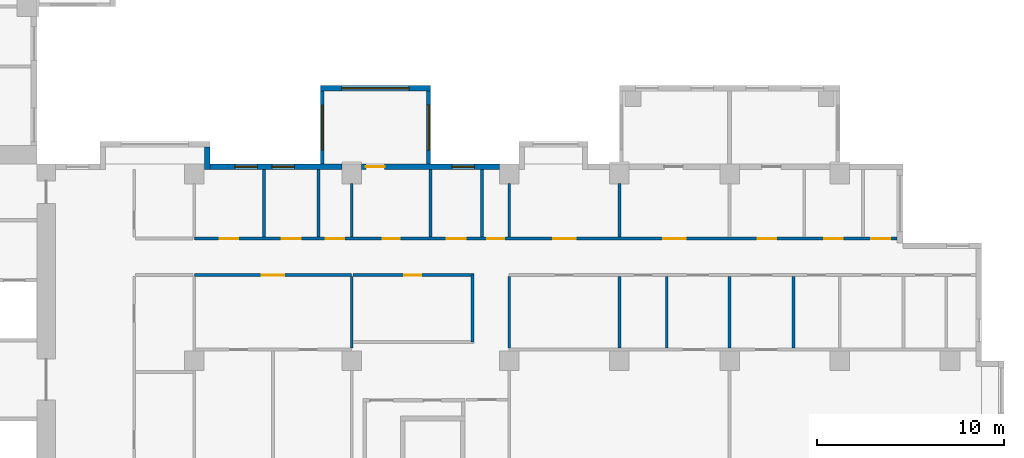
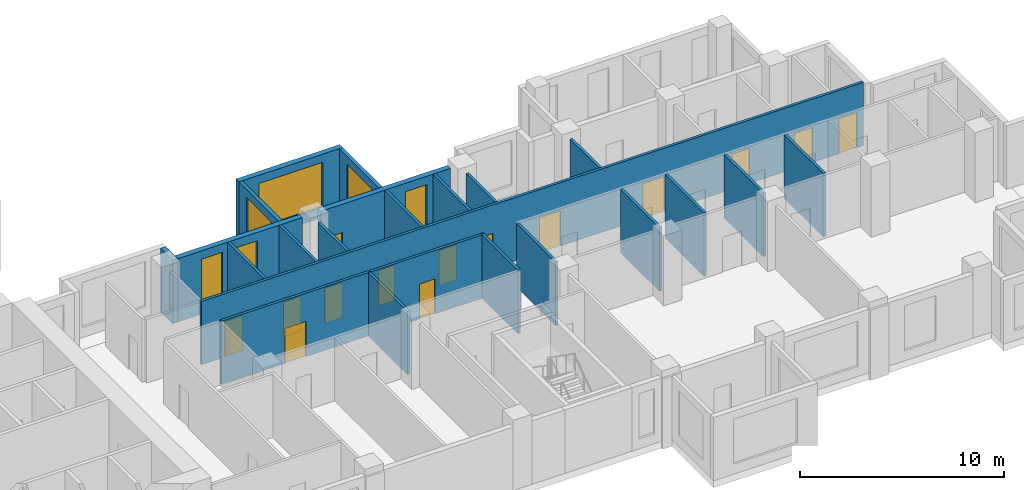
# One storey, part 5 of 15: 23 walls, 14 doors, 6 windows, 20 openings.
"""IFC4 building model written with IfcOpenShell, lengths in metres."""

from ifc_helpers import new_model, si_unit, direction, frame, frame_2d, origin, place, context, subcontext, project, spatial, rectangle, extrude, source, transform, mapped, material, layer, layer_set, type_object, element, fill, save


model = new_model("IFC4")

# Units and contexts
model_context = context("Model", 3, precision=1e-05, world=origin(), true_north=direction((0.0, 1.0)))
body_context = subcontext(model_context, "Body", "Model", "MODEL_VIEW")
ifc_project = project(units=[si_unit("LENGTHUNIT", "METRE"), si_unit("AREAUNIT", "SQUARE_METRE"), si_unit("VOLUMEUNIT", "CUBIC_METRE"), si_unit("PLANEANGLEUNIT", "RADIAN"), si_unit("MASSUNIT", "GRAM", prefix="KILO")], contexts=[model_context])

# Site, building, storey
site_placement = place(None, origin())
site = spatial("IfcSite", under=ifc_project, at=site_placement, CompositionType="ELEMENT")
building_placement = place(site_placement, origin())
building = spatial("IfcBuilding", under=site, at=building_placement, Name="Aurelian Terraces", CompositionType="ELEMENT")
storey_placement = place(building_placement, frame((0.0, 0.0, 120.3)))
storey = spatial("IfcBuildingStorey", under=building, at=storey_placement, Name="L26", CompositionType="ELEMENT", Elevation=120.3)

# Wall, openings, windows
ifc_material_1 = material(Name="Terracotta rainscreen cladding", Category="masonry")
ifc_layer_1 = layer(ifc_material_1, 0.3)
ifc_layer_set_1 = layer_set([ifc_layer_1], Name="EW-300")
wall_type_1 = type_object("IfcWallType", Name="EW-300", PredefinedType="STANDARD", material=ifc_layer_set_1)
wall_1_placement = place(storey_placement, frame((37.275, 20.85, 0.0), z_axis=(0.0, 0.0, 1.0), x_axis=(-1.0, 0.0, 0.0)))
wall_1 = element("IfcWall", 1, at=wall_1_placement, inside=storey, type_object=wall_type_1, Name="External wall L26 F07.20", PredefinedType="STANDARD", context=body_context, shape_type="SweptSolid", body=[
    extrude(rectangle(XDim=7.035, YDim=0.3, at=frame_2d((3.5175, 0.0))), origin(), (0.0, 0.0, 1.0), 3.8),
])
shared_shape_1 = source(origin(), body_context, "Body", "SweptSolid", [
    extrude(rectangle(XDim=1.2, YDim=2.7, at=frame_2d((0.6, 1.35))), frame((0.0, 0.16, 0.0), z_axis=(0.0, -1.0, 0.0), x_axis=(1.0, 0.0, 0.0)), (0.0, 0.0, 1.0), 0.32),
])
opening_1_placement = place(wall_1_placement, frame((2.541, 0.0, 0.6)))
opening_1 = element("IfcOpeningElement", 2, at=opening_1_placement, cuts=wall_1, Name="Opening W1227", PredefinedType="OPENING", context=body_context, shape_type="MappedRepresentation", body=[
    mapped(shared_shape_1, transform((0.0, 0.0, 0.0), scale=1.0)),
])
opening_2_placement = place(wall_1_placement, frame((4.516, 0.0, 0.6)))
opening_2 = element("IfcOpeningElement", 3, at=opening_2_placement, cuts=wall_1, Name="Opening W1227", PredefinedType="OPENING", context=body_context, shape_type="MappedRepresentation", body=[
    mapped(shared_shape_1, transform((0.0, 0.0, 0.0), scale=1.0)),
])
ifc_material_2 = material(Name="Clear glazing", Category="glass")
window_type_1 = type_object("IfcWindowType", Name="W-1200x2700", PartitioningType="SINGLE_PANEL", PredefinedType="WINDOW", material=ifc_material_2)
shared_shape_2 = source(origin(), body_context, "Body", "SweptSolid", [
    extrude(rectangle(XDim=1.2, YDim=2.7, at=frame_2d((0.6, 1.35))), frame((0.0, 0.03, 0.0), z_axis=(0.0, -1.0, 0.0), x_axis=(1.0, 0.0, 0.0)), (0.0, 0.0, 1.0), 0.06),
])
window_1_placement = place(opening_1_placement, origin())
window_1 = element("IfcWindow", 4, at=window_1_placement, inside=storey, type_object=window_type_1, Name="Window L26 L26-F07-20-2.1", OverallHeight=2.7, OverallWidth=1.2, PartitioningType="SINGLE_PANEL", PredefinedType="WINDOW", context=body_context, shape_type="MappedRepresentation", body=[
    mapped(shared_shape_2, transform((0.0, 0.0, 0.0), scale=1.0)),
])
fill(opening_1, window_1)
window_2_placement = place(opening_2_placement, origin())
window_2 = element("IfcWindow", 5, at=window_2_placement, inside=storey, type_object=window_type_1, Name="Window L26 L26-F07-20-2.2", OverallHeight=2.7, OverallWidth=1.2, PartitioningType="SINGLE_PANEL", PredefinedType="WINDOW", context=body_context, shape_type="MappedRepresentation", body=[
    mapped(shared_shape_2, transform((0.0, 0.0, 0.0), scale=1.0)),
])
fill(opening_2, window_2)

# Wall
shared_shape_3 = source(origin(), body_context, "Body", "SweptSolid", [
    extrude(rectangle(XDim=1.2, YDim=0.3, at=frame_2d((0.6, 0.0))), origin(), (0.0, 0.0, 1.0), 3.8),
])
wall_2_placement = place(storey_placement, frame((30.09, 20.7, 0.0), z_axis=(0.0, 0.0, 1.0), x_axis=(0.0, 1.0, 0.0)))
element("IfcWall", 6, at=wall_2_placement, inside=storey, type_object=wall_type_1, Name="Bay return L26 F07.21.1", PredefinedType="STANDARD", context=body_context, shape_type="MappedRepresentation", body=[
    mapped(shared_shape_3, transform((0.0, 0.0, 0.0), scale=1.0)),
])

# Wall, opening, window
ifc_material_3 = material(Name="Concrete fc' 40 MPa", Category="concrete")
ifc_layer_2 = layer(ifc_material_3, 0.2)
ifc_layer_set_2 = layer_set([ifc_layer_2], Name="BOX BEARING WALL 200")
wall_type_2 = type_object("IfcWallType", Name="BOX BEARING WALL 200", PredefinedType="SOLIDWALL", material=ifc_layer_set_2)
shared_shape_4 = source(origin(), body_context, "Body", "SweptSolid", [
    extrude(rectangle(XDim=3.9, YDim=0.2, at=frame_2d((1.95, 0.0))), origin(), (0.0, 0.0, 1.0), 3.79),
])
wall_3_placement = place(storey_placement, frame((41.9, 21.0, 0.0), z_axis=(0.0, 0.0, 1.0), x_axis=(0.0, 1.0, 0.0)))
wall_3 = element("IfcWall", 7, at=wall_3_placement, inside=storey, type_object=wall_type_2, Name="Box return L26 J37.1", PredefinedType="SOLIDWALL", context=body_context, shape_type="MappedRepresentation", body=[
    mapped(shared_shape_4, transform((0.0, 0.0, 0.0), scale=1.0)),
])
shared_shape_5 = source(origin(), body_context, "Body", "SweptSolid", [
    extrude(rectangle(XDim=2.4, YDim=2.7, at=frame_2d((1.2, 1.35))), frame((0.0, 0.11, 0.0), z_axis=(0.0, -1.0, 0.0), x_axis=(1.0, 0.0, 0.0)), (0.0, 0.0, 1.0), 0.22),
])
opening_3_placement = place(wall_3_placement, frame((0.75, 0.0, 0.6)))
opening_3 = element("IfcOpeningElement", 8, at=opening_3_placement, cuts=wall_3, Name="Opening W2427", PredefinedType="OPENING", context=body_context, shape_type="MappedRepresentation", body=[
    mapped(shared_shape_5, transform((0.0, 0.0, 0.0), scale=1.0)),
])
window_type_2 = type_object("IfcWindowType", Name="W-2400x2700", PartitioningType="SINGLE_PANEL", PredefinedType="WINDOW", material=ifc_material_2)
shared_shape_6 = source(origin(), body_context, "Body", "SweptSolid", [
    extrude(rectangle(XDim=2.4, YDim=2.7, at=frame_2d((1.2, 1.35))), frame((0.0, 0.03, 0.0), z_axis=(0.0, -1.0, 0.0), x_axis=(1.0, 0.0, 0.0)), (0.0, 0.0, 1.0), 0.06),
])
window_3_placement = place(opening_3_placement, origin())
window_3 = element("IfcWindow", 9, at=window_3_placement, inside=storey, type_object=window_type_2, Name="Window L26 J37-S1", OverallHeight=2.7, OverallWidth=2.4, PartitioningType="SINGLE_PANEL", PredefinedType="WINDOW", context=body_context, shape_type="MappedRepresentation", body=[
    mapped(shared_shape_6, transform((0.0, 0.0, 0.0), scale=1.0)),
])
fill(opening_3, window_3)

wall_4_placement = place(storey_placement, frame((36.22, 21.0, 0.0), z_axis=(0.0, 0.0, 1.0), x_axis=(0.0, 1.0, 0.0)))
wall_4 = element("IfcWall", 10, at=wall_4_placement, inside=storey, type_object=wall_type_2, Name="Box return L26 J37.2", PredefinedType="SOLIDWALL", context=body_context, shape_type="MappedRepresentation", body=[
    mapped(shared_shape_4, transform((0.0, 0.0, 0.0), scale=1.0)),
])
opening_4_placement = place(wall_4_placement, frame((0.75, 0.0, 0.6)))
opening_4 = element("IfcOpeningElement", 11, at=opening_4_placement, cuts=wall_4, Name="Opening W2427", PredefinedType="OPENING", context=body_context, shape_type="MappedRepresentation", body=[
    mapped(shared_shape_5, transform((0.0, 0.0, 0.0), scale=1.0)),
])
window_4_placement = place(opening_4_placement, origin())
window_4 = element("IfcWindow", 12, at=window_4_placement, inside=storey, type_object=window_type_2, Name="Window L26 J37-S2", OverallHeight=2.7, OverallWidth=2.4, PartitioningType="SINGLE_PANEL", PredefinedType="WINDOW", context=body_context, shape_type="MappedRepresentation", body=[
    mapped(shared_shape_6, transform((0.0, 0.0, 0.0), scale=1.0)),
])
fill(opening_4, window_4)

ifc_layer_3 = layer(ifc_material_3, 0.3)
ifc_layer_set_3 = layer_set([ifc_layer_3], Name="BOX BEARING WALL 300")
wall_type_3 = type_object("IfcWallType", Name="BOX BEARING WALL 300", PredefinedType="SOLIDWALL", material=ifc_layer_set_3)
shared_shape_7 = source(origin(), body_context, "Body", "SweptSolid", [
    extrude(rectangle(XDim=5.88, YDim=0.3, at=frame_2d((2.94, 0.0))), origin(), (0.0, 0.0, 1.0), 3.79),
])
wall_5_placement = place(storey_placement, frame((42.0, 25.05, 0.0), z_axis=(0.0, 0.0, 1.0), x_axis=(-1.0, 0.0, 0.0)))
wall_5 = element("IfcWall", 13, at=wall_5_placement, inside=storey, type_object=wall_type_3, Name="Box wall L26 J37", PredefinedType="SOLIDWALL", context=body_context, shape_type="MappedRepresentation", body=[
    mapped(shared_shape_7, transform((0.0, 0.0, 0.0), scale=1.0)),
])
shared_shape_8 = source(origin(), body_context, "Body", "SweptSolid", [
    extrude(rectangle(XDim=3.6, YDim=2.7, at=frame_2d((1.8, 1.35))), frame((0.0, 0.16, 0.0), z_axis=(0.0, -1.0, 0.0), x_axis=(1.0, 0.0, 0.0)), (0.0, 0.0, 1.0), 0.32),
])
opening_5_placement = place(wall_5_placement, frame((1.14, 0.0, 0.6)))
opening_5 = element("IfcOpeningElement", 14, at=opening_5_placement, cuts=wall_5, Name="Opening W3627", PredefinedType="OPENING", context=body_context, shape_type="MappedRepresentation", body=[
    mapped(shared_shape_8, transform((0.0, 0.0, 0.0), scale=1.0)),
])
window_type_3 = type_object("IfcWindowType", Name="W-3600x2700", PartitioningType="SINGLE_PANEL", PredefinedType="WINDOW", material=ifc_material_2)
shared_shape_9 = source(origin(), body_context, "Body", "SweptSolid", [
    extrude(rectangle(XDim=3.6, YDim=2.7, at=frame_2d((1.8, 1.35))), frame((0.0, 0.03, 0.0), z_axis=(0.0, -1.0, 0.0), x_axis=(1.0, 0.0, 0.0)), (0.0, 0.0, 1.0), 0.06),
])
window_5_placement = place(opening_5_placement, origin())
window_5 = element("IfcWindow", 15, at=window_5_placement, inside=storey, type_object=window_type_3, Name="Window L26 J37-F1", OverallHeight=2.7, OverallWidth=3.6, PartitioningType="SINGLE_PANEL", PredefinedType="WINDOW", context=body_context, shape_type="MappedRepresentation", body=[
    mapped(shared_shape_9, transform((0.0, 0.0, 0.0), scale=1.0)),
])
fill(opening_5, window_5)

# Wall, openings, window, door
shared_shape_10 = source(origin(), body_context, "Body", "SweptSolid", [
    extrude(rectangle(XDim=7.35, YDim=0.3, at=frame_2d((3.675, 0.0))), origin(), (0.0, 0.0, 1.0), 3.8),
])
wall_6_placement = place(storey_placement, frame((45.675, 20.85, 0.0), z_axis=(0.0, 0.0, 1.0), x_axis=(-1.0, 0.0, 0.0)))
wall_6 = element("IfcWall", 16, at=wall_6_placement, inside=storey, type_object=wall_type_1, Name="External wall L26 F07.20", PredefinedType="STANDARD", context=body_context, shape_type="MappedRepresentation", body=[
    mapped(shared_shape_10, transform((0.0, 0.0, 0.0), scale=1.0)),
])
opening_6_placement = place(wall_6_placement, frame((1.3385, 0.0, 0.6)))
opening_6 = element("IfcOpeningElement", 17, at=opening_6_placement, cuts=wall_6, Name="Opening W1227", PredefinedType="OPENING", context=body_context, shape_type="MappedRepresentation", body=[
    mapped(shared_shape_1, transform((0.0, 0.0, 0.0), scale=1.0)),
])
shared_shape_11 = source(origin(), body_context, "Body", "SweptSolid", [
    extrude(rectangle(XDim=1.0, YDim=2.1, at=frame_2d((0.5, 1.05))), frame((0.0, 0.16, 0.0), z_axis=(0.0, -1.0, 0.0), x_axis=(1.0, 0.0, 0.0)), (0.0, 0.0, 1.0), 0.32),
])
opening_7_placement = place(wall_6_placement, frame((6.115, 0.0, 0.0)))
opening_7 = element("IfcOpeningElement", 18, at=opening_7_placement, cuts=wall_6, Name="Opening 826002", PredefinedType="OPENING", context=body_context, shape_type="MappedRepresentation", body=[
    mapped(shared_shape_11, transform((0.0, 0.0, 0.0), scale=1.0)),
])
window_6_placement = place(opening_6_placement, origin())
window_6 = element("IfcWindow", 19, at=window_6_placement, inside=storey, type_object=window_type_1, Name="Window L26 L26-F07-20-0", OverallHeight=2.7, OverallWidth=1.2, PartitioningType="SINGLE_PANEL", PredefinedType="WINDOW", context=body_context, shape_type="MappedRepresentation", body=[
    mapped(shared_shape_2, transform((0.0, 0.0, 0.0), scale=1.0)),
])
fill(opening_6, window_6)
ifc_material_4 = material(Name="Timber door leaf", Category="wood")
door_type_1 = type_object("IfcDoorType", Name="Room door 1000x2100 left", OperationType="SINGLE_SWING_LEFT", PredefinedType="DOOR", material=ifc_material_4)
shared_shape_12 = source(origin(), body_context, "Body", "SweptSolid", [
    extrude(rectangle(XDim=1.0, YDim=2.1, at=frame_2d((0.5, 1.05))), frame((0.0, 0.025, 0.0), z_axis=(0.0, -1.0, 0.0), x_axis=(1.0, 0.0, 0.0)), (0.0, 0.0, 1.0), 0.05),
])
door_1_placement = place(opening_7_placement, origin())
door_1 = element("IfcDoor", 20, at=door_1_placement, inside=storey, type_object=door_type_1, Name="Door 826002", OperationType="SINGLE_SWING_LEFT", OverallHeight=2.1, OverallWidth=1.0, PredefinedType="DOOR", context=body_context, shape_type="MappedRepresentation", body=[
    mapped(shared_shape_12, transform((0.0, 0.0, 0.0), scale=1.0)),
])
fill(opening_7, door_1)

# Wall, opening, door
ifc_material_5 = material(Name="Gypsum board on steel studs", Category="steel")
ifc_layer_4 = layer(ifc_material_5, 0.15)
ifc_layer_set_4 = layer_set([ifc_layer_4], Name="Fire partition 150")
wall_type_4 = type_object("IfcWallType", Name="Fire partition 150", PredefinedType="PARTITIONING", material=ifc_layer_set_4)
shared_shape_13 = source(origin(), body_context, "Body", "SweptSolid", [
    extrude(rectangle(XDim=6.45, YDim=0.15, at=frame_2d((3.225, 0.0))), origin(), (0.0, 0.0, 1.0), 3.8),
])
wall_7_placement = place(storey_placement, frame((44.325, 15.075, 0.0), z_axis=(0.0, 0.0, 1.0), x_axis=(-1.0, 0.0, 0.0)))
wall_7 = element("IfcWall", 21, at=wall_7_placement, inside=storey, type_object=wall_type_4, Name="Corridor wall", PredefinedType="PARTITIONING", context=body_context, shape_type="MappedRepresentation", body=[
    mapped(shared_shape_13, transform((0.0, 0.0, 0.0), scale=1.0)),
])
shared_shape_14 = source(origin(), body_context, "Body", "SweptSolid", [
    extrude(rectangle(XDim=0.9, YDim=2.1, at=frame_2d((0.45, 1.05))), frame((0.0, 0.085, 0.0), z_axis=(0.0, -1.0, 0.0), x_axis=(1.0, 0.0, 0.0)), (0.0, 0.0, 1.0), 0.17),
])
opening_8_placement = place(wall_7_placement, frame((2.8125, 0.0, 0.0)))
opening_8 = element("IfcOpeningElement", 22, at=opening_8_placement, cuts=wall_7, Name="Opening 726005", PredefinedType="OPENING", context=body_context, shape_type="MappedRepresentation", body=[
    mapped(shared_shape_14, transform((0.0, 0.0, 0.0), scale=1.0)),
])
door_type_2 = type_object("IfcDoorType", Name="Room door 900x2100 right", OperationType="SINGLE_SWING_RIGHT", PredefinedType="DOOR", material=ifc_material_4)
shared_shape_15 = source(origin(), body_context, "Body", "SweptSolid", [
    extrude(rectangle(XDim=0.9, YDim=2.1, at=frame_2d((0.45, 1.05))), frame((0.0, 0.025, 0.0), z_axis=(0.0, -1.0, 0.0), x_axis=(1.0, 0.0, 0.0)), (0.0, 0.0, 1.0), 0.05),
])
door_2_placement = place(opening_8_placement, origin())
door_2 = element("IfcDoor", 23, at=door_2_placement, inside=storey, type_object=door_type_2, Name="Door 726005", OperationType="SINGLE_SWING_RIGHT", OverallHeight=2.1, OverallWidth=0.9, PredefinedType="DOOR", context=body_context, shape_type="MappedRepresentation", body=[
    mapped(shared_shape_15, transform((0.0, 0.0, 0.0), scale=1.0)),
])
fill(opening_8, door_2)

# Walls
ifc_layer_5 = layer(ifc_material_5, 0.15)
ifc_layer_set_5 = layer_set([ifc_layer_5], Name="Partition 150")
wall_type_5 = type_object("IfcWallType", Name="Partition 150", PredefinedType="PARTITIONING", material=ifc_layer_set_5)
shared_shape_16 = source(origin(), body_context, "Body", "SweptSolid", [
    extrude(rectangle(XDim=3.6, YDim=0.15, at=frame_2d((1.8, 0.0))), origin(), (0.0, 0.0, 1.0), 3.8),
])
for number, where, z_axis, x_axis, name in (
    (24, (33.1133, 20.7, 0.0), (0.0, 0.0, 1.0), (0.0, -1.0, 0.0), "Partition"),
    (25, (36.024, 20.7, 0.0), (0.0, 0.0, 1.0), (0.0, -1.0, 0.0), "Partition"),
    (26, (44.748, 20.7, 0.0), (0.0, 0.0, 1.0), (0.0, -1.0, 0.0), "Partition"),
    (27, (42.0, 17.1, 0.0), (0.0, 0.0, 1.0), (0.0, 1.0, 0.0), "Partition"),
):
    element("IfcWall", number, at=place(storey_placement, frame(where, z_axis=z_axis, x_axis=x_axis)), inside=storey, type_object=wall_type_5, Name=name, PredefinedType="PARTITIONING", context=body_context, shape_type="MappedRepresentation", body=[
        mapped(shared_shape_16, transform((0.0, 0.0, 0.0), scale=1.0)),
    ])

# Wall, opening, door
shared_shape_17 = source(origin(), body_context, "Body", "SweptSolid", [
    extrude(rectangle(XDim=8.4, YDim=0.15, at=frame_2d((4.2, 0.0))), origin(), (0.0, 0.0, 1.0), 3.8),
])
wall_8_placement = place(storey_placement, frame((37.8, 15.075, 0.0), z_axis=(0.0, 0.0, 1.0), x_axis=(-1.0, 0.0, 0.0)))
wall_8 = element("IfcWall", 28, at=wall_8_placement, inside=storey, type_object=wall_type_4, Name="Corridor wall", PredefinedType="PARTITIONING", context=body_context, shape_type="MappedRepresentation", body=[
    mapped(shared_shape_17, transform((0.0, 0.0, 0.0), scale=1.0)),
])
shared_shape_18 = source(origin(), body_context, "Body", "SweptSolid", [
    extrude(rectangle(XDim=1.2, YDim=2.1, at=frame_2d((0.6, 1.05))), frame((0.0, 0.085, 0.0), z_axis=(0.0, -1.0, 0.0), x_axis=(1.0, 0.0, 0.0)), (0.0, 0.0, 1.0), 0.17),
])
opening_9_placement = place(wall_8_placement, frame((3.6, 0.0, 0.0)))
opening_9 = element("IfcOpeningElement", 29, at=opening_9_placement, cuts=wall_8, Name="Opening 726007", PredefinedType="OPENING", context=body_context, shape_type="MappedRepresentation", body=[
    mapped(shared_shape_18, transform((0.0, 0.0, 0.0), scale=1.0)),
])
door_type_3 = type_object("IfcDoorType", Name="Room door 1200x2100 left", OperationType="SINGLE_SWING_LEFT", PredefinedType="DOOR", material=ifc_material_4)
shared_shape_19 = source(origin(), body_context, "Body", "SweptSolid", [
    extrude(rectangle(XDim=1.2, YDim=2.1, at=frame_2d((0.6, 1.05))), frame((0.0, 0.025, 0.0), z_axis=(0.0, -1.0, 0.0), x_axis=(1.0, 0.0, 0.0)), (0.0, 0.0, 1.0), 0.05),
])
door_3_placement = place(opening_9_placement, origin())
door_3 = element("IfcDoor", 30, at=door_3_placement, inside=storey, type_object=door_type_3, Name="Door 726007", OperationType="SINGLE_SWING_LEFT", OverallHeight=2.1, OverallWidth=1.2, PredefinedType="DOOR", context=body_context, shape_type="MappedRepresentation", body=[
    mapped(shared_shape_19, transform((0.0, 0.0, 0.0), scale=1.0)),
])
fill(opening_9, door_3)

# Wall
shared_shape_20 = source(origin(), body_context, "Body", "SweptSolid", [
    extrude(rectangle(XDim=3.575, YDim=0.15, at=frame_2d((1.7875, 0.0))), origin(), (0.0, 0.0, 1.0), 3.8),
])
wall_9_placement = place(storey_placement, frame((44.25, 11.5, 0.0), z_axis=(0.0, 0.0, 1.0), x_axis=(0.0, 1.0, 0.0)))
element("IfcWall", 31, at=wall_9_placement, inside=storey, type_object=wall_type_5, Name="Partition", PredefinedType="PARTITIONING", context=body_context, shape_type="MappedRepresentation", body=[
    mapped(shared_shape_20, transform((0.0, 0.0, 0.0), scale=1.0)),
])

# Wall, openings, doors
shared_shape_21 = source(origin(), body_context, "Body", "SweptSolid", [
    extrude(rectangle(XDim=37.5, YDim=0.15, at=frame_2d((18.75, 0.0))), origin(), (0.0, 0.0, 1.0), 3.8),
])
wall_10_placement = place(storey_placement, frame((29.4, 17.025, 0.0), z_axis=(0.0, 0.0, 1.0), x_axis=(1.0, 0.0, 0.0)))
wall_10 = element("IfcWall", 32, at=wall_10_placement, inside=storey, type_object=wall_type_4, Name="Corridor wall", PredefinedType="PARTITIONING", context=body_context, shape_type="MappedRepresentation", body=[
    mapped(shared_shape_21, transform((0.0, 0.0, 0.0), scale=1.0)),
])
shared_shape_22 = source(origin(), body_context, "Body", "SweptSolid", [
    extrude(rectangle(XDim=1.0, YDim=2.1, at=frame_2d((0.5, 1.05))), frame((0.0, 0.085, 0.0), z_axis=(0.0, -1.0, 0.0), x_axis=(1.0, 0.0, 0.0)), (0.0, 0.0, 1.0), 0.17),
])
opening_10_placement = place(wall_10_placement, frame((1.3567, 0.0, 0.0)))
opening_10 = element("IfcOpeningElement", 33, at=opening_10_placement, cuts=wall_10, Name="Opening 726020", PredefinedType="OPENING", context=body_context, shape_type="MappedRepresentation", body=[
    mapped(shared_shape_22, transform((0.0, 0.0, 0.0), scale=1.0)),
])
opening_11_placement = place(wall_10_placement, frame((4.6686, 0.0, 0.0)))
opening_11 = element("IfcOpeningElement", 34, at=opening_11_placement, cuts=wall_10, Name="Opening 726021", PredefinedType="OPENING", context=body_context, shape_type="MappedRepresentation", body=[
    mapped(shared_shape_22, transform((0.0, 0.0, 0.0), scale=1.0)),
])
opening_12_placement = place(wall_10_placement, frame((7.012, 0.0, 0.0)))
opening_12 = element("IfcOpeningElement", 35, at=opening_12_placement, cuts=wall_10, Name="Opening 726022", PredefinedType="OPENING", context=body_context, shape_type="MappedRepresentation", body=[
    mapped(shared_shape_22, transform((0.0, 0.0, 0.0), scale=1.0)),
])
opening_13_placement = place(wall_10_placement, frame((10.05, 0.0, 0.0)))
opening_13 = element("IfcOpeningElement", 36, at=opening_13_placement, cuts=wall_10, Name="Opening 726023", PredefinedType="OPENING", context=body_context, shape_type="MappedRepresentation", body=[
    mapped(shared_shape_14, transform((0.0, 0.0, 0.0), scale=1.0)),
])
opening_14_placement = place(wall_10_placement, frame((13.474, 0.0, 0.0)))
opening_14 = element("IfcOpeningElement", 37, at=opening_14_placement, cuts=wall_10, Name="Opening 726024", PredefinedType="OPENING", context=body_context, shape_type="MappedRepresentation", body=[
    mapped(shared_shape_22, transform((0.0, 0.0, 0.0), scale=1.0)),
])
opening_15_placement = place(wall_10_placement, frame((15.624, 0.0, 0.0)))
opening_15 = element("IfcOpeningElement", 38, at=opening_15_placement, cuts=wall_10, Name="Opening 726025", PredefinedType="OPENING", context=body_context, shape_type="MappedRepresentation", body=[
    mapped(shared_shape_14, transform((0.0, 0.0, 0.0), scale=1.0)),
])
opening_16_placement = place(wall_10_placement, frame((19.14, 0.0, 0.0)))
opening_16 = element("IfcOpeningElement", 39, at=opening_16_placement, cuts=wall_10, Name="Opening 726026", PredefinedType="OPENING", context=body_context, shape_type="MappedRepresentation", body=[
    mapped(shared_shape_18, transform((0.0, 0.0, 0.0), scale=1.0)),
])
opening_17_placement = place(wall_10_placement, frame((25.02, 0.0, 0.0)))
opening_17 = element("IfcOpeningElement", 40, at=opening_17_placement, cuts=wall_10, Name="Opening 726027", PredefinedType="OPENING", context=body_context, shape_type="MappedRepresentation", body=[
    mapped(shared_shape_18, transform((0.0, 0.0, 0.0), scale=1.0)),
])
opening_18_placement = place(wall_10_placement, frame((30.0523, 0.0, 0.0)))
opening_18 = element("IfcOpeningElement", 41, at=opening_18_placement, cuts=wall_10, Name="Opening 726028", PredefinedType="OPENING", context=body_context, shape_type="MappedRepresentation", body=[
    mapped(shared_shape_22, transform((0.0, 0.0, 0.0), scale=1.0)),
])
opening_19_placement = place(wall_10_placement, frame((33.6084, 0.0, 0.0)))
opening_19 = element("IfcOpeningElement", 42, at=opening_19_placement, cuts=wall_10, Name="Opening 726029", PredefinedType="OPENING", context=body_context, shape_type="MappedRepresentation", body=[
    mapped(shared_shape_22, transform((0.0, 0.0, 0.0), scale=1.0)),
])
opening_20_placement = place(wall_10_placement, frame((36.1236, 0.0, 0.0)))
opening_20 = element("IfcOpeningElement", 43, at=opening_20_placement, cuts=wall_10, Name="Opening 726030", PredefinedType="OPENING", context=body_context, shape_type="MappedRepresentation", body=[
    mapped(shared_shape_22, transform((0.0, 0.0, 0.0), scale=1.0)),
])
door_4_placement = place(opening_10_placement, origin())
door_4 = element("IfcDoor", 44, at=door_4_placement, inside=storey, type_object=door_type_1, Name="Door 726020", OperationType="SINGLE_SWING_LEFT", OverallHeight=2.1, OverallWidth=1.0, PredefinedType="DOOR", context=body_context, shape_type="MappedRepresentation", body=[
    mapped(shared_shape_12, transform((0.0, 0.0, 0.0), scale=1.0)),
])
fill(opening_10, door_4)
door_type_4 = type_object("IfcDoorType", Name="Room door 1000x2100 right", OperationType="SINGLE_SWING_RIGHT", PredefinedType="DOOR", material=ifc_material_4)
door_5_placement = place(opening_11_placement, origin())
door_5 = element("IfcDoor", 45, at=door_5_placement, inside=storey, type_object=door_type_4, Name="Door 726021", OperationType="SINGLE_SWING_RIGHT", OverallHeight=2.1, OverallWidth=1.0, PredefinedType="DOOR", context=body_context, shape_type="MappedRepresentation", body=[
    mapped(shared_shape_12, transform((0.0, 0.0, 0.0), scale=1.0)),
])
fill(opening_11, door_5)
door_6_placement = place(opening_12_placement, origin())
door_6 = element("IfcDoor", 46, at=door_6_placement, inside=storey, type_object=door_type_1, Name="Door 726022", OperationType="SINGLE_SWING_LEFT", OverallHeight=2.1, OverallWidth=1.0, PredefinedType="DOOR", context=body_context, shape_type="MappedRepresentation", body=[
    mapped(shared_shape_12, transform((0.0, 0.0, 0.0), scale=1.0)),
])
fill(opening_12, door_6)
door_7_placement = place(opening_14_placement, origin())
door_7 = element("IfcDoor", 47, at=door_7_placement, inside=storey, type_object=door_type_1, Name="Door 726024", OperationType="SINGLE_SWING_LEFT", OverallHeight=2.1, OverallWidth=1.0, PredefinedType="DOOR", context=body_context, shape_type="MappedRepresentation", body=[
    mapped(shared_shape_12, transform((0.0, 0.0, 0.0), scale=1.0)),
])
fill(opening_14, door_7)
door_8_placement = place(opening_18_placement, origin())
door_8 = element("IfcDoor", 48, at=door_8_placement, inside=storey, type_object=door_type_1, Name="Door 726028", OperationType="SINGLE_SWING_LEFT", OverallHeight=2.1, OverallWidth=1.0, PredefinedType="DOOR", context=body_context, shape_type="MappedRepresentation", body=[
    mapped(shared_shape_12, transform((0.0, 0.0, 0.0), scale=1.0)),
])
fill(opening_18, door_8)
door_9_placement = place(opening_19_placement, origin())
door_9 = element("IfcDoor", 49, at=door_9_placement, inside=storey, type_object=door_type_4, Name="Door 726029", OperationType="SINGLE_SWING_RIGHT", OverallHeight=2.1, OverallWidth=1.0, PredefinedType="DOOR", context=body_context, shape_type="MappedRepresentation", body=[
    mapped(shared_shape_12, transform((0.0, 0.0, 0.0), scale=1.0)),
])
fill(opening_19, door_9)
door_10_placement = place(opening_20_placement, origin())
door_10 = element("IfcDoor", 50, at=door_10_placement, inside=storey, type_object=door_type_1, Name="Door 726030", OperationType="SINGLE_SWING_LEFT", OverallHeight=2.1, OverallWidth=1.0, PredefinedType="DOOR", context=body_context, shape_type="MappedRepresentation", body=[
    mapped(shared_shape_12, transform((0.0, 0.0, 0.0), scale=1.0)),
])
fill(opening_20, door_10)
door_type_5 = type_object("IfcDoorType", Name="Room door 900x2100 left", OperationType="SINGLE_SWING_LEFT", PredefinedType="DOOR", material=ifc_material_4)
door_11_placement = place(opening_13_placement, origin())
door_11 = element("IfcDoor", 51, at=door_11_placement, inside=storey, type_object=door_type_5, Name="Door 726023", OperationType="SINGLE_SWING_LEFT", OverallHeight=2.1, OverallWidth=0.9, PredefinedType="DOOR", context=body_context, shape_type="MappedRepresentation", body=[
    mapped(shared_shape_15, transform((0.0, 0.0, 0.0), scale=1.0)),
])
fill(opening_13, door_11)
door_12_placement = place(opening_15_placement, origin())
door_12 = element("IfcDoor", 52, at=door_12_placement, inside=storey, type_object=door_type_2, Name="Door 726025", OperationType="SINGLE_SWING_RIGHT", OverallHeight=2.1, OverallWidth=0.9, PredefinedType="DOOR", context=body_context, shape_type="MappedRepresentation", body=[
    mapped(shared_shape_15, transform((0.0, 0.0, 0.0), scale=1.0)),
])
fill(opening_15, door_12)
door_13_placement = place(opening_16_placement, origin())
door_13 = element("IfcDoor", 53, at=door_13_placement, inside=storey, type_object=door_type_3, Name="Door 726026", OperationType="SINGLE_SWING_LEFT", OverallHeight=2.1, OverallWidth=1.2, PredefinedType="DOOR", context=body_context, shape_type="MappedRepresentation", body=[
    mapped(shared_shape_19, transform((0.0, 0.0, 0.0), scale=1.0)),
])
fill(opening_16, door_13)
door_type_6 = type_object("IfcDoorType", Name="Room door 1200x2100 right", OperationType="SINGLE_SWING_RIGHT", PredefinedType="DOOR", material=ifc_material_4)
door_14_placement = place(opening_17_placement, origin())
door_14 = element("IfcDoor", 54, at=door_14_placement, inside=storey, type_object=door_type_6, Name="Door 726027", OperationType="SINGLE_SWING_RIGHT", OverallHeight=2.1, OverallWidth=1.2, PredefinedType="DOOR", context=body_context, shape_type="MappedRepresentation", body=[
    mapped(shared_shape_19, transform((0.0, 0.0, 0.0), scale=1.0)),
])
fill(opening_17, door_14)

# Walls
shared_shape_23 = source(origin(), body_context, "Body", "SweptSolid", [
    extrude(rectangle(XDim=3.825, YDim=0.15, at=frame_2d((1.9125, 0.0))), origin(), (0.0, 0.0, 1.0), 3.8),
])
for number, where, z_axis, x_axis, name in (
    (55, (37.8, 11.175, 0.0), (0.0, 0.0, 1.0), (0.0, 1.0, 0.0), "Partition"),
    (56, (52.08, 11.175, 0.0), (0.0, 0.0, 1.0), (0.0, 1.0, 0.0), "Partition"),
    (57, (54.6072, 11.175, 0.0), (0.0, 0.0, 1.0), (0.0, 1.0, 0.0), "Partition"),
    (58, (61.3609, 11.175, 0.0), (0.0, 0.0, 1.0), (0.0, 1.0, 0.0), "Partition"),
    (59, (46.2, 11.175, 0.0), (0.0, 0.0, 1.0), (0.0, 1.0, 0.0), "Partition"),
    (60, (57.96, 11.175, 0.0), (0.0, 0.0, 1.0), (0.0, 1.0, 0.0), "Partition"),
):
    element("IfcWall", number, at=place(storey_placement, frame(where, z_axis=z_axis, x_axis=x_axis)), inside=storey, type_object=wall_type_5, Name=name, PredefinedType="PARTITIONING", context=body_context, shape_type="MappedRepresentation", body=[
        mapped(shared_shape_23, transform((0.0, 0.0, 0.0), scale=1.0)),
    ])
shared_shape_24 = source(origin(), body_context, "Body", "SweptSolid", [
    extrude(rectangle(XDim=2.851, YDim=0.15, at=frame_2d((1.4255, 0.0))), origin(), (0.0, 0.0, 1.0), 3.8),
])
for number, where, z_axis, x_axis, name in (
    (61, (52.08, 19.951, 0.0), (0.0, 0.0, 1.0), (0.0, -1.0, 0.0), "Partition"),
    (62, (37.8, 17.1, 0.0), (0.0, 0.0, 1.0), (0.0, 1.0, 0.0), "Partition"),
    (63, (46.2, 17.1, 0.0), (0.0, 0.0, 1.0), (0.0, 1.0, 0.0), "Partition"),
):
    element("IfcWall", number, at=place(storey_placement, frame(where, z_axis=z_axis, x_axis=x_axis)), inside=storey, type_object=wall_type_5, Name=name, PredefinedType="PARTITIONING", context=body_context, shape_type="MappedRepresentation", body=[
        mapped(shared_shape_24, transform((0.0, 0.0, 0.0), scale=1.0)),
    ])

save(model, "model.ifc")
